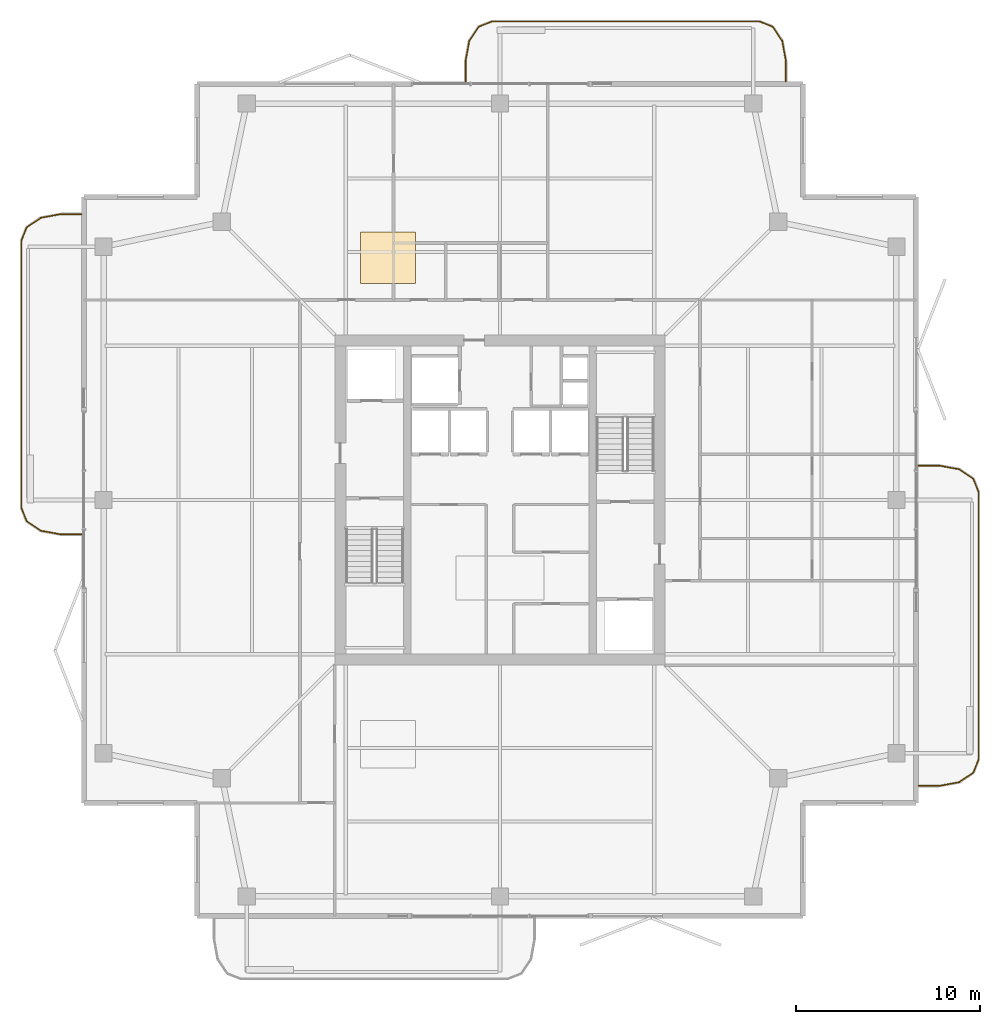
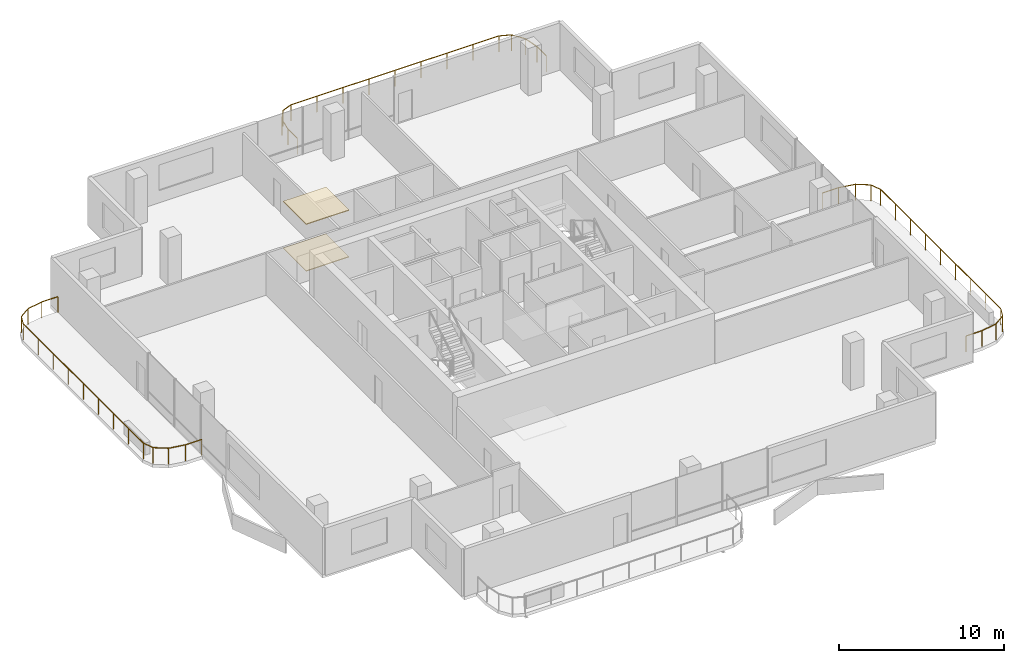
# One storey, part 17 of 17: 3 railings, 2 coverings.
"""IFC4 building model written with IfcOpenShell, lengths in metres."""

from ifc_helpers import new_model, si_unit, direction, frame, origin, origin_2d, place, context, subcontext, project, spatial, polyline, rectangle, outline, extrude, material, layer, layer_set, type_object, element, save


model = new_model("IFC4")

# Units and contexts
model_context = context("Model", 3, precision=1e-05, world=origin(), true_north=direction((0.0, 1.0)))
body_context = subcontext(model_context, "Body", "Model", "MODEL_VIEW")
ifc_project = project(units=[si_unit("LENGTHUNIT", "METRE"), si_unit("AREAUNIT", "SQUARE_METRE"), si_unit("VOLUMEUNIT", "CUBIC_METRE"), si_unit("PLANEANGLEUNIT", "RADIAN"), si_unit("MASSUNIT", "GRAM", prefix="KILO")], contexts=[model_context])

# Site, building, storey
site_placement = place(None, origin())
site = spatial("IfcSite", under=ifc_project, at=site_placement, CompositionType="ELEMENT")
building_placement = place(site_placement, origin())
building = spatial("IfcBuilding", under=site, at=building_placement, Name="Belovzor Exchange Tower", CompositionType="ELEMENT")
storey_placement = place(building_placement, frame((0.0, 0.0, 303.0)))
storey = spatial("IfcBuildingStorey", under=building, at=storey_placement, Name="L75", CompositionType="ELEMENT", Elevation=303.0)

# Railings
ifc_material_1 = material(Name="Stainless Steel and Laminated Safety Glass", Category="steel")
railing_type = type_object("IfcRailingType", Name="Laminated Glass & Stainless Steel Balcony Balustrade 1200", PredefinedType="BALUSTRADE", material=ifc_material_1)
railing_1_placement = place(storey_placement, frame((44.3701171875, 51.610107421875, 0.0)))
element("IfcRailing", 1, at=railing_1_placement, inside=storey, type_object=railing_type, Name="GR-1 Balcony Balustrade L75 North", PredefinedType="BALUSTRADE", context=body_context, shape_type="SweptSolid", body=[
    extrude(rectangle(XDim=0.048095703125, YDim=0.048095703125, at=origin_2d()), frame((0.0, 0.0, 1.17578125), z_axis=(0.0, 1.0, 0.0), x_axis=(-1.0, 0.0, 0.0)), (0.0, 0.0, 1.0), 1.1328125),
    extrude(rectangle(XDim=0.048095703125, YDim=0.048095703125, at=origin_2d()), frame((0.0, 1.1328125, 1.17578125), z_axis=(-0.180083182347, 0.983651385113, 0.0), x_axis=(-0.983651385113, -0.180083182347, 0.0)), (0.0, 0.0, 1.0), 1.093994140625),
    extrude(rectangle(XDim=0.048095703125, YDim=0.048095703125, at=origin_2d()), frame((-0.197021484375, 2.208984375, 1.17578125), z_axis=(-0.56294695933, 0.826493025367, 0.0), x_axis=(-0.826493025367, -0.56294695933, 0.0)), (0.0, 0.0, 1.0), 0.932861328125),
    extrude(rectangle(XDim=0.048095703125, YDim=0.048095703125, at=origin_2d()), frame((-0.72216796875, 2.97998046875, 1.17578125), z_axis=(-0.930766990125, 0.365612923861, 0.0), x_axis=(-0.365612923861, -0.930766990125, 0.0)), (0.0, 0.0, 1.0), 0.765869140625),
    extrude(rectangle(XDim=0.048095703125, YDim=0.048095703125, at=origin_2d()), frame((-1.43505859375, 3.260009765625, 1.17578125), z_axis=(-1.0, 0.0, 0.0), x_axis=(0.0, -1.0, 0.0)), (0.0, 0.0, 1.0), 14.570068359375),
    extrude(rectangle(XDim=0.048095703125, YDim=0.048095703125, at=origin_2d()), frame((-16.005126953125, 3.260009765625, 1.17578125), z_axis=(-0.930766990125, -0.365612923861, 0.0), x_axis=(0.365612923861, -0.930766990125, 0.0)), (0.0, 0.0, 1.0), 0.765869140625),
    extrude(rectangle(XDim=0.048095703125, YDim=0.048095703125, at=origin_2d()), frame((-16.718017578125, 2.97998046875, 1.17578125), z_axis=(-0.56294695933, -0.826493025367, 0.0), x_axis=(0.826493025367, -0.56294695933, 0.0)), (0.0, 0.0, 1.0), 0.932861328125),
    extrude(rectangle(XDim=0.048095703125, YDim=0.048095703125, at=origin_2d()), frame((-17.2431640625, 2.208984375, 1.17578125), z_axis=(-0.180083182347, -0.983651385113, 0.0), x_axis=(0.983651385113, -0.180083182347, 0.0)), (0.0, 0.0, 1.0), 1.093994140625),
    extrude(rectangle(XDim=0.048095703125, YDim=0.048095703125, at=origin_2d()), frame((-17.440185546875, 1.1328125, 1.17578125), z_axis=(0.0, -1.0, 0.0), x_axis=(1.0, 0.0, 0.0)), (0.0, 0.0, 1.0), 1.1328125),
    extrude(rectangle(XDim=0.0419921875, YDim=0.0419921875, at=origin_2d()), origin(), (0.0, 0.0, 1.0), 1.15185546875),
    extrude(rectangle(XDim=0.0419921875, YDim=0.0419921875, at=origin_2d()), frame((0.0, 1.1328125, 0.0)), (0.0, 0.0, 1.0), 1.15185546875),
    extrude(rectangle(XDim=0.0419921875, YDim=0.0419921875, at=origin_2d()), frame((-0.197021484375, 2.208984375, 0.0)), (0.0, 0.0, 1.0), 1.15185546875),
    extrude(rectangle(XDim=0.0419921875, YDim=0.0419921875, at=origin_2d()), frame((-0.72216796875, 2.97998046875, 0.0)), (0.0, 0.0, 1.0), 1.15185546875),
    extrude(rectangle(XDim=0.0419921875, YDim=0.0419921875, at=origin_2d()), frame((-1.43505859375, 3.260009765625, 0.0)), (0.0, 0.0, 1.0), 1.15185546875),
    extrude(rectangle(XDim=0.0419921875, YDim=0.0419921875, at=origin_2d()), frame((-3.25634765625, 3.260009765625, 0.0)), (0.0, 0.0, 1.0), 1.15185546875),
    extrude(rectangle(XDim=0.0419921875, YDim=0.0419921875, at=origin_2d()), frame((-5.07763671875, 3.260009765625, 0.0)), (0.0, 0.0, 1.0), 1.15185546875),
    extrude(rectangle(XDim=0.0419921875, YDim=0.0419921875, at=origin_2d()), frame((-6.89892578125, 3.260009765625, 0.0)), (0.0, 0.0, 1.0), 1.15185546875),
    extrude(rectangle(XDim=0.0419921875, YDim=0.0419921875, at=origin_2d()), frame((-8.72021484375, 3.260009765625, 0.0)), (0.0, 0.0, 1.0), 1.15185546875),
    extrude(rectangle(XDim=0.0419921875, YDim=0.0419921875, at=origin_2d()), frame((-10.541259765625, 3.260009765625, 0.0)), (0.0, 0.0, 1.0), 1.15185546875),
    extrude(rectangle(XDim=0.0419921875, YDim=0.0419921875, at=origin_2d()), frame((-12.362548828125, 3.260009765625, 0.0)), (0.0, 0.0, 1.0), 1.15185546875),
    extrude(rectangle(XDim=0.0419921875, YDim=0.0419921875, at=origin_2d()), frame((-14.183837890625, 3.260009765625, 0.0)), (0.0, 0.0, 1.0), 1.15185546875),
    extrude(rectangle(XDim=0.0419921875, YDim=0.0419921875, at=origin_2d()), frame((-16.005126953125, 3.260009765625, 0.0)), (0.0, 0.0, 1.0), 1.15185546875),
    extrude(rectangle(XDim=0.0419921875, YDim=0.0419921875, at=origin_2d()), frame((-16.718017578125, 2.97998046875, 0.0)), (0.0, 0.0, 1.0), 1.15185546875),
    extrude(rectangle(XDim=0.0419921875, YDim=0.0419921875, at=origin_2d()), frame((-17.2431640625, 2.208984375, 0.0)), (0.0, 0.0, 1.0), 1.15185546875),
    extrude(rectangle(XDim=0.0419921875, YDim=0.0419921875, at=origin_2d()), frame((-17.440185546875, 1.1328125, 0.0)), (0.0, 0.0, 1.0), 1.15185546875),
    extrude(rectangle(XDim=0.0419921875, YDim=0.0419921875, at=origin_2d()), frame((-17.440185546875, 0.0, 0.0)), (0.0, 0.0, 1.0), 1.15185546875),
])
railing_2_placement = place(storey_placement, frame((51.610107421875, 13.22998046875, 0.0)))
element("IfcRailing", 2, at=railing_2_placement, inside=storey, type_object=railing_type, Name="GR-1 Balcony Balustrade L75 East", PredefinedType="BALUSTRADE", context=body_context, shape_type="SweptSolid", body=[
    extrude(rectangle(XDim=0.048095703125, YDim=0.048095703125, at=origin_2d()), frame((0.0, 0.0, 1.17578125), z_axis=(1.0, 0.0, 0.0), x_axis=(0.0, 1.0, 0.0)), (0.0, 0.0, 1.0), 1.1328125),
    extrude(rectangle(XDim=0.048095703125, YDim=0.048095703125, at=origin_2d()), frame((1.1328125, 0.0, 1.17578125), z_axis=(0.983651385113, 0.180083182347, 0.0), x_axis=(-0.180083182347, 0.983651385113, 0.0)), (0.0, 0.0, 1.0), 1.093994140625),
    extrude(rectangle(XDim=0.048095703125, YDim=0.048095703125, at=origin_2d()), frame((2.208984375, 0.197021484375, 1.17578125), z_axis=(0.826614792125, 0.562768145367, 0.0), x_axis=(-0.562768145367, 0.826614792125, 0.0)), (0.0, 0.0, 1.0), 0.9326171875),
    extrude(rectangle(XDim=0.048095703125, YDim=0.048095703125, at=origin_2d()), frame((2.97998046875, 0.721923828125, 1.17578125), z_axis=(0.365504480807, 0.930809580156, 0.0), x_axis=(-0.930809580156, 0.365504480807, 0.0)), (0.0, 0.0, 1.0), 0.76611328125),
    extrude(rectangle(XDim=0.048095703125, YDim=0.048095703125, at=origin_2d()), frame((3.260009765625, 1.43505859375, 1.17578125), z_axis=(0.0, 1.0, 0.0), x_axis=(-1.0, 0.0, 0.0)), (0.0, 0.0, 1.0), 14.570068359375),
    extrude(rectangle(XDim=0.048095703125, YDim=0.048095703125, at=origin_2d()), frame((3.260009765625, 16.005126953125, 1.17578125), z_axis=(-0.365612923861, 0.930766990125, 0.0), x_axis=(-0.930766990125, -0.365612923861, 0.0)), (0.0, 0.0, 1.0), 0.765869140625),
    extrude(rectangle(XDim=0.048095703125, YDim=0.048095703125, at=origin_2d()), frame((2.97998046875, 16.718017578125, 1.17578125), z_axis=(-0.826614792125, 0.562768145367, 0.0), x_axis=(-0.562768145367, -0.826614792125, 0.0)), (0.0, 0.0, 1.0), 0.9326171875),
    extrude(rectangle(XDim=0.048095703125, YDim=0.048095703125, at=origin_2d()), frame((2.208984375, 17.242919921875, 1.17578125), z_axis=(-0.983651385113, 0.180083182347, 0.0), x_axis=(-0.180083182347, -0.983651385113, 0.0)), (0.0, 0.0, 1.0), 1.093994140625),
    extrude(rectangle(XDim=0.048095703125, YDim=0.048095703125, at=origin_2d()), frame((1.1328125, 17.43994140625, 1.17578125), z_axis=(-1.0, 0.0, 0.0), x_axis=(0.0, -1.0, 0.0)), (0.0, 0.0, 1.0), 1.1328125),
    extrude(rectangle(XDim=0.0419921875, YDim=0.0419921875, at=origin_2d()), origin(), (0.0, 0.0, 1.0), 1.15185546875),
    extrude(rectangle(XDim=0.0419921875, YDim=0.0419921875, at=origin_2d()), frame((1.1328125, 0.0, 0.0)), (0.0, 0.0, 1.0), 1.15185546875),
    extrude(rectangle(XDim=0.0419921875, YDim=0.0419921875, at=origin_2d()), frame((2.208984375, 0.197021484375, 0.0)), (0.0, 0.0, 1.0), 1.15185546875),
    extrude(rectangle(XDim=0.0419921875, YDim=0.0419921875, at=origin_2d()), frame((2.97998046875, 0.721923828125, 0.0)), (0.0, 0.0, 1.0), 1.15185546875),
    extrude(rectangle(XDim=0.0419921875, YDim=0.0419921875, at=origin_2d()), frame((3.260009765625, 1.43505859375, 0.0)), (0.0, 0.0, 1.0), 1.15185546875),
    extrude(rectangle(XDim=0.0419921875, YDim=0.0419921875, at=origin_2d()), frame((3.260009765625, 3.25634765625, 0.0)), (0.0, 0.0, 1.0), 1.15185546875),
    extrude(rectangle(XDim=0.0419921875, YDim=0.0419921875, at=origin_2d()), frame((3.260009765625, 5.07763671875, 0.0)), (0.0, 0.0, 1.0), 1.15185546875),
    extrude(rectangle(XDim=0.0419921875, YDim=0.0419921875, at=origin_2d()), frame((3.260009765625, 6.89892578125, 0.0)), (0.0, 0.0, 1.0), 1.15185546875),
    extrude(rectangle(XDim=0.0419921875, YDim=0.0419921875, at=origin_2d()), frame((3.260009765625, 8.72021484375, 0.0)), (0.0, 0.0, 1.0), 1.15185546875),
    extrude(rectangle(XDim=0.0419921875, YDim=0.0419921875, at=origin_2d()), frame((3.260009765625, 10.541259765625, 0.0)), (0.0, 0.0, 1.0), 1.15185546875),
    extrude(rectangle(XDim=0.0419921875, YDim=0.0419921875, at=origin_2d()), frame((3.260009765625, 12.362548828125, 0.0)), (0.0, 0.0, 1.0), 1.15185546875),
    extrude(rectangle(XDim=0.0419921875, YDim=0.0419921875, at=origin_2d()), frame((3.260009765625, 14.183837890625, 0.0)), (0.0, 0.0, 1.0), 1.15185546875),
    extrude(rectangle(XDim=0.0419921875, YDim=0.0419921875, at=origin_2d()), frame((3.260009765625, 16.005126953125, 0.0)), (0.0, 0.0, 1.0), 1.15185546875),
    extrude(rectangle(XDim=0.0419921875, YDim=0.0419921875, at=origin_2d()), frame((2.97998046875, 16.718017578125, 0.0)), (0.0, 0.0, 1.0), 1.15185546875),
    extrude(rectangle(XDim=0.0419921875, YDim=0.0419921875, at=origin_2d()), frame((2.208984375, 17.242919921875, 0.0)), (0.0, 0.0, 1.0), 1.15185546875),
    extrude(rectangle(XDim=0.0419921875, YDim=0.0419921875, at=origin_2d()), frame((1.1328125, 17.43994140625, 0.0)), (0.0, 0.0, 1.0), 1.15185546875),
    extrude(rectangle(XDim=0.0419921875, YDim=0.0419921875, at=origin_2d()), frame((0.0, 17.43994140625, 0.0)), (0.0, 0.0, 1.0), 1.15185546875),
])
railing_3_placement = place(storey_placement, frame((5.989990234375, 44.3701171875, 0.0)))
element("IfcRailing", 3, at=railing_3_placement, inside=storey, type_object=railing_type, Name="GR-1 Balcony Balustrade L75 West", PredefinedType="BALUSTRADE", context=body_context, shape_type="SweptSolid", body=[
    extrude(rectangle(XDim=0.048095703125, YDim=0.048095703125, at=origin_2d()), frame((0.0, 0.0, 1.17578125), z_axis=(-1.0, 0.0, 0.0), x_axis=(0.0, -1.0, 0.0)), (0.0, 0.0, 1.0), 1.133056640625),
    extrude(rectangle(XDim=0.048095703125, YDim=0.048095703125, at=origin_2d()), frame((-1.133056640625, 0.0, 1.17578125), z_axis=(-0.983644145941, -0.180122719713, 0.0), x_axis=(0.180122719713, -0.983644145941, 0.0)), (0.0, 0.0, 1.0), 1.09375),
    extrude(rectangle(XDim=0.048095703125, YDim=0.048095703125, at=origin_2d()), frame((-2.208984375, -0.197021484375, 1.17578125), z_axis=(-0.826493025367, -0.56294695933, 0.0), x_axis=(0.56294695933, -0.826493025367, 0.0)), (0.0, 0.0, 1.0), 0.932861328125),
    extrude(rectangle(XDim=0.048095703125, YDim=0.048095703125, at=origin_2d()), frame((-2.97998046875, -0.72216796875, 1.17578125), z_axis=(-0.365612923861, -0.930766990125, 0.0), x_axis=(0.930766990125, -0.365612923861, 0.0)), (0.0, 0.0, 1.0), 0.765869140625),
    extrude(rectangle(XDim=0.048095703125, YDim=0.048095703125, at=origin_2d()), frame((-3.260009765625, -1.43505859375, 1.17578125), z_axis=(0.0, -1.0, 0.0), x_axis=(1.0, 0.0, 0.0)), (0.0, 0.0, 1.0), 14.570068359375),
    extrude(rectangle(XDim=0.048095703125, YDim=0.048095703125, at=origin_2d()), frame((-3.260009765625, -16.005126953125, 1.17578125), z_axis=(0.365612923861, -0.930766990125, 0.0), x_axis=(0.930766990125, 0.365612923861, 0.0)), (0.0, 0.0, 1.0), 0.765869140625),
    extrude(rectangle(XDim=0.048095703125, YDim=0.048095703125, at=origin_2d()), frame((-2.97998046875, -16.718017578125, 1.17578125), z_axis=(0.826493025367, -0.56294695933, 0.0), x_axis=(0.56294695933, 0.826493025367, 0.0)), (0.0, 0.0, 1.0), 0.932861328125),
    extrude(rectangle(XDim=0.048095703125, YDim=0.048095703125, at=origin_2d()), frame((-2.208984375, -17.2431640625, 1.17578125), z_axis=(0.983644145941, -0.180122719713, 0.0), x_axis=(0.180122719713, 0.983644145941, 0.0)), (0.0, 0.0, 1.0), 1.09375),
    extrude(rectangle(XDim=0.048095703125, YDim=0.048095703125, at=origin_2d()), frame((-1.133056640625, -17.440185546875, 1.17578125), z_axis=(1.0, 0.0, 0.0), x_axis=(0.0, 1.0, 0.0)), (0.0, 0.0, 1.0), 1.133056640625),
    extrude(rectangle(XDim=0.0419921875, YDim=0.0419921875, at=origin_2d()), origin(), (0.0, 0.0, 1.0), 1.15185546875),
    extrude(rectangle(XDim=0.0419921875, YDim=0.0419921875, at=origin_2d()), frame((-1.133056640625, 0.0, 0.0)), (0.0, 0.0, 1.0), 1.15185546875),
    extrude(rectangle(XDim=0.0419921875, YDim=0.0419921875, at=origin_2d()), frame((-2.208984375, -0.197021484375, 0.0)), (0.0, 0.0, 1.0), 1.15185546875),
    extrude(rectangle(XDim=0.0419921875, YDim=0.0419921875, at=origin_2d()), frame((-2.97998046875, -0.72216796875, 0.0)), (0.0, 0.0, 1.0), 1.15185546875),
    extrude(rectangle(XDim=0.0419921875, YDim=0.0419921875, at=origin_2d()), frame((-3.260009765625, -1.43505859375, 0.0)), (0.0, 0.0, 1.0), 1.15185546875),
    extrude(rectangle(XDim=0.0419921875, YDim=0.0419921875, at=origin_2d()), frame((-3.260009765625, -3.25634765625, 0.0)), (0.0, 0.0, 1.0), 1.15185546875),
    extrude(rectangle(XDim=0.0419921875, YDim=0.0419921875, at=origin_2d()), frame((-3.260009765625, -5.07763671875, 0.0)), (0.0, 0.0, 1.0), 1.15185546875),
    extrude(rectangle(XDim=0.0419921875, YDim=0.0419921875, at=origin_2d()), frame((-3.260009765625, -6.89892578125, 0.0)), (0.0, 0.0, 1.0), 1.15185546875),
    extrude(rectangle(XDim=0.0419921875, YDim=0.0419921875, at=origin_2d()), frame((-3.260009765625, -8.72021484375, 0.0)), (0.0, 0.0, 1.0), 1.15185546875),
    extrude(rectangle(XDim=0.0419921875, YDim=0.0419921875, at=origin_2d()), frame((-3.260009765625, -10.541259765625, 0.0)), (0.0, 0.0, 1.0), 1.15185546875),
    extrude(rectangle(XDim=0.0419921875, YDim=0.0419921875, at=origin_2d()), frame((-3.260009765625, -12.362548828125, 0.0)), (0.0, 0.0, 1.0), 1.15185546875),
    extrude(rectangle(XDim=0.0419921875, YDim=0.0419921875, at=origin_2d()), frame((-3.260009765625, -14.183837890625, 0.0)), (0.0, 0.0, 1.0), 1.15185546875),
    extrude(rectangle(XDim=0.0419921875, YDim=0.0419921875, at=origin_2d()), frame((-3.260009765625, -16.005126953125, 0.0)), (0.0, 0.0, 1.0), 1.15185546875),
    extrude(rectangle(XDim=0.0419921875, YDim=0.0419921875, at=origin_2d()), frame((-2.97998046875, -16.718017578125, 0.0)), (0.0, 0.0, 1.0), 1.15185546875),
    extrude(rectangle(XDim=0.0419921875, YDim=0.0419921875, at=origin_2d()), frame((-2.208984375, -17.2431640625, 0.0)), (0.0, 0.0, 1.0), 1.15185546875),
    extrude(rectangle(XDim=0.0419921875, YDim=0.0419921875, at=origin_2d()), frame((-1.133056640625, -17.440185546875, 0.0)), (0.0, 0.0, 1.0), 1.15185546875),
    extrude(rectangle(XDim=0.0419921875, YDim=0.0419921875, at=origin_2d()), frame((0.0, -17.440185546875, 0.0)), (0.0, 0.0, 1.0), 1.15185546875),
])

# Coverings
ifc_material_2 = material(Name="Perforated Powder-Coated Aluminium", Category="aluminium")
ifc_layer_1 = layer(ifc_material_2, 0.06005859375)
ifc_layer_set_1 = layer_set([ifc_layer_1], Name="Perforated Powder-Coated Aluminium")
covering_type_1 = type_object("IfcCoveringType", Name="Perforated Acoustic Metal Tile Suspended Ceiling 60", PredefinedType="CEILING", material=ifc_layer_set_1)
covering_1_placement = place(storey_placement, frame((0.0, 0.0, 3.449951171875)))
element("IfcCovering", 4, at=covering_1_placement, inside=storey, type_object=covering_type_1, Name="CLG-AC60 Suspended Ceiling CLG-L75-Z3", PredefinedType="CEILING", context=body_context, shape_type="SweptSolid", body=[
    extrude(outline(polyline([(21.199951171875, 40.60009765625), (24.199951171875, 40.60009765625), (24.199951171875, 43.39990234375), (21.199951171875, 43.39990234375), (21.199951171875, 40.60009765625)])), origin(), (0.0, 0.0, 1.0), 0.06005859375),
])
ifc_material_3 = material(Name="Polished Natural Granite Tile", Category="masonry")
ifc_layer_2 = layer(ifc_material_3, 0.050048828125)
ifc_layer_set_2 = layer_set([ifc_layer_2], Name="Polished Natural Granite Tile")
covering_type_2 = type_object("IfcCoveringType", Name="Polished Karelian Granite & Raised Access Floor Finish 50", PredefinedType="FLOORING", material=ifc_layer_set_2)
covering_2_placement = place(storey_placement, origin())
element("IfcCovering", 5, at=covering_2_placement, inside=storey, type_object=covering_type_2, Name="FLR-GR50 Floor Finish FLR-L75-Z3", PredefinedType="FLOORING", context=body_context, shape_type="SweptSolid", body=[
    extrude(outline(polyline([(21.199951171875, 40.60009765625), (24.199951171875, 40.60009765625), (24.199951171875, 43.39990234375), (21.199951171875, 43.39990234375), (21.199951171875, 40.60009765625)])), origin(), (0.0, 0.0, 1.0), 0.050048828125),
])

save(model, "model.ifc")
